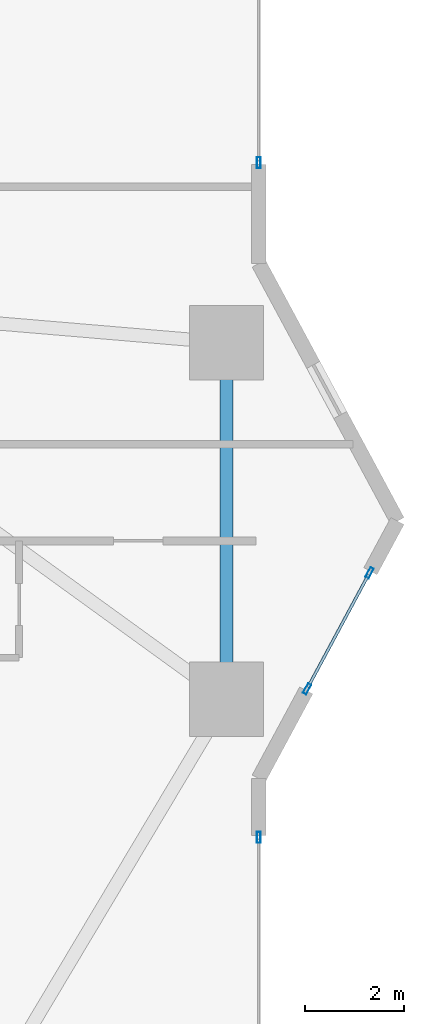
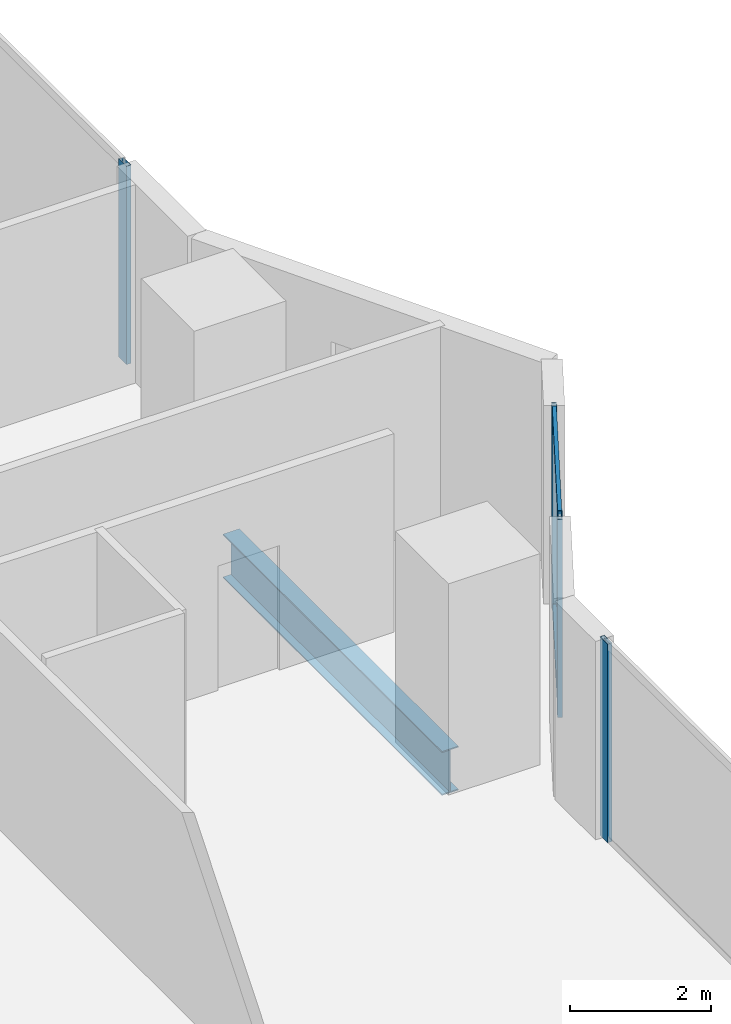
# One storey, part 12 of 28: 6 members, 1 beam, 3 elements without a shape of their own.
"""IFC4 building model written with IfcOpenShell, lengths in metres."""

from ifc_helpers import new_model, si_unit, direction, frame, origin, origin_2d, place, context, subcontext, project, spatial, hollow_rectangle, i_section, extrude, material, layer, layer_set, material_profile, profile_set, type_object, element, aggregate, save


model = new_model("IFC4")

# Units and contexts
model_context = context("Model", 3, precision=1e-05, world=origin(), true_north=direction((0.0, 1.0)))
body_context = subcontext(model_context, "Body", "Model", "MODEL_VIEW")
ifc_project = project(units=[si_unit("LENGTHUNIT", "METRE"), si_unit("AREAUNIT", "SQUARE_METRE"), si_unit("VOLUMEUNIT", "CUBIC_METRE"), si_unit("PLANEANGLEUNIT", "RADIAN"), si_unit("MASSUNIT", "GRAM", prefix="KILO")], contexts=[model_context])

# Site, building, storey
site_placement = place(None, origin())
site = spatial("IfcSite", under=ifc_project, at=site_placement, CompositionType="ELEMENT")
building_placement = place(site_placement, origin())
building = spatial("IfcBuilding", under=site, at=building_placement, Name="Zuhayl Quay Hotel", CompositionType="ELEMENT")
storey_placement = place(building_placement, frame((0.0, 0.0, 75.050048828125)))
storey = spatial("IfcBuildingStorey", under=building, at=storey_placement, Name="L18", CompositionType="ELEMENT", Elevation=75.050048828125)

# Beam
ifc_material_1 = material(Name="Steel ASTM A992 Grade 50", Category="steel")
ifc_material_profile_1 = material_profile(ifc_material_1, i_section(OverallWidth=0.26708984375, OverallDepth=0.761962890625, WebThickness=0.014404296875, FlangeThickness=0.021484375, at=origin_2d()), Name="W30X116")
ifc_profile_set_1 = profile_set([ifc_material_profile_1], Name="Steel ASTM A992 Grade 50")
beam_type = type_object("IfcBeamType", Name="BM_B1_W30X116", PredefinedType="BEAM", material=ifc_profile_set_1)
beam_placement = place(storey_placement, frame((25.050048828125, -3.10009765625, -0.60107421875), z_axis=(0.0, 1.0, 0.0), x_axis=(-1.0, 0.0, 0.0)))
element("IfcBeam", 1, at=beam_placement, inside=storey, type_object=beam_type, Name="L18 Floor Beam RG_L18_05", PredefinedType="BEAM", context=body_context, shape_type="SweptSolid", body=[
    extrude(i_section(OverallWidth=0.26708984375, OverallDepth=0.761962890625, WebThickness=0.014404296875, FlangeThickness=0.021484375, at=origin_2d()), origin(), (0.0, 0.0, 1.0), 6.2001953125),
])

# Curtain wall, member
ifc_material_2 = material(Name="Anodised Aluminium 6063-T6", Category="aluminium")
ifc_layer = layer(ifc_material_2, 0.18994140625, Name="Anodised Aluminium 6063-T6", Category="aluminium")
ifc_layer_set = layer_set([ifc_layer], Name="Anodised Aluminium 6063-T6")
curtain_wall_type = type_object("IfcCurtainWallType", Name="CW_SYS_Z1", PredefinedType="USERDEFINED", material=ifc_layer_set)
curtain_wall_1_placement = place(storey_placement, origin())
curtain_wall_1 = element("IfcCurtainWall", 2, at=curtain_wall_1_placement, inside=storey, type_object=curtain_wall_type, Name="L18 Curtain Wall ENV_L18_E11_CW1", ObjectType="UNITISED CURTAIN WALL", PredefinedType="USERDEFINED")
ifc_material_3 = material(Name="Black-anodised aluminium 6063-T6", Category="aluminium")
ifc_material_profile_2 = material_profile(ifc_material_3, hollow_rectangle(XDim=0.074951171875, YDim=0.219970703125, WallThickness=0.00390625, at=origin_2d()), Name="ALU220X75")
ifc_profile_set_2 = profile_set([ifc_material_profile_2], Name="Black-anodised aluminium 6063-T6")
member_type_1 = type_object("IfcMemberType", Name="MB_CW_MUL_220", PredefinedType="MULLION", material=ifc_profile_set_2)
member_1_placement = place(storey_placement, frame((25.699951171875, 7.237548828125, 0.0), z_axis=(0.0, 0.0, 1.0), x_axis=(1.0, 0.0, 0.0)))
member_1 = element("IfcMember", 3, at=member_1_placement, type_object=member_type_1, Name="CW-Z1 mullion 2", PredefinedType="MULLION", context=body_context, shape_type="SweptSolid", body=[
    extrude(hollow_rectangle(XDim=0.074951171875, YDim=0.219970703125, WallThickness=0.00390625, at=origin_2d()), origin(), (0.0, 0.0, 1.0), 3.429931640625),
])
aggregate(curtain_wall_1, [member_1])

# Curtain wall, members
curtain_wall_2_placement = place(storey_placement, origin())
curtain_wall_2 = element("IfcCurtainWall", 4, at=curtain_wall_2_placement, inside=storey, type_object=curtain_wall_type, Name="L18 Curtain Wall ENV_L18_E13_CW1", ObjectType="UNITISED CURTAIN WALL", PredefinedType="USERDEFINED")
member_2_placement = place(storey_placement, frame((27.93701171875, -1.04541015625, 0.0), z_axis=(0.0, 0.0, 1.0), x_axis=(0.880475795468, -0.474091102632, 0.0)))
member_2 = element("IfcMember", 5, at=member_2_placement, type_object=member_type_1, Name="CW-Z1 mullion 1", PredefinedType="MULLION", context=body_context, shape_type="SweptSolid", body=[
    extrude(hollow_rectangle(XDim=0.074951171875, YDim=0.219970703125, WallThickness=0.00390625, at=origin_2d()), origin(), (0.0, 0.0, 1.0), 3.429931640625),
])
member_3_placement = place(storey_placement, frame((26.67578125, -3.387939453125, 0.0), z_axis=(0.0, 0.0, 1.0), x_axis=(0.880475795468, -0.474091102632, 0.0)))
member_3 = element("IfcMember", 6, at=member_3_placement, type_object=member_type_1, Name="CW-Z1 mullion 2", PredefinedType="MULLION", context=body_context, shape_type="SweptSolid", body=[
    extrude(hollow_rectangle(XDim=0.074951171875, YDim=0.219970703125, WallThickness=0.00390625, at=origin_2d()), origin(), (0.0, 0.0, 1.0), 3.429931640625),
])

# Curtain wall, member
curtain_wall_3_placement = place(storey_placement, origin())
curtain_wall_3 = element("IfcCurtainWall", 7, at=curtain_wall_3_placement, inside=storey, type_object=curtain_wall_type, Name="L18 Curtain Wall ENV_L18_E14_CW1", ObjectType="UNITISED CURTAIN WALL", PredefinedType="USERDEFINED")
member_4_placement = place(storey_placement, frame((25.699951171875, -6.387451171875, 0.0), z_axis=(0.0, 0.0, 1.0), x_axis=(1.0, 0.0, 0.0)))
member_4 = element("IfcMember", 8, at=member_4_placement, type_object=member_type_1, Name="CW-Z1 mullion 1", PredefinedType="MULLION", context=body_context, shape_type="SweptSolid", body=[
    extrude(hollow_rectangle(XDim=0.074951171875, YDim=0.219970703125, WallThickness=0.00390625, at=origin_2d()), origin(), (0.0, 0.0, 1.0), 3.429931640625),
])
aggregate(curtain_wall_3, [member_4])

# Member
ifc_material_profile_3 = material_profile(ifc_material_3, hollow_rectangle(XDim=0.06005859375, YDim=0.14990234375, WallThickness=0.00341796875, at=origin_2d()), Name="ALU150X60")
ifc_profile_set_3 = profile_set([ifc_material_profile_3], Name="Black-anodised aluminium 6063-T6")
member_type_2 = type_object("IfcMemberType", Name="MB_CW_TRN_150", PredefinedType="USERDEFINED", material=ifc_profile_set_3)
member_5_placement = place(storey_placement, frame((27.919189453125, -1.07861328125, 0.030029296875), z_axis=(-0.474054771703, -0.880495356845, 0.0), x_axis=(0.880495356845, -0.474054771703, 0.0)))
member_5 = element("IfcMember", 9, at=member_5_placement, type_object=member_type_2, Name="CW-Z1 transom 1.1", ObjectType="TRANSOM", PredefinedType="USERDEFINED", context=body_context, shape_type="SweptSolid", body=[
    extrude(hollow_rectangle(XDim=0.06005859375, YDim=0.14990234375, WallThickness=0.00341796875, at=origin_2d()), origin(), (0.0, 0.0, 1.0), 2.585205078125),
])

member_6_placement = place(storey_placement, frame((27.919189453125, -1.07861328125, 3.39990234375), z_axis=(-0.474054771703, -0.880495356845, 0.0), x_axis=(0.880495356845, -0.474054771703, 0.0)))
member_6 = element("IfcMember", 10, at=member_6_placement, type_object=member_type_2, Name="CW-Z1 transom 1.2", ObjectType="TRANSOM", PredefinedType="USERDEFINED", context=body_context, shape_type="SweptSolid", body=[
    extrude(hollow_rectangle(XDim=0.06005859375, YDim=0.14990234375, WallThickness=0.00341796875, at=origin_2d()), origin(), (0.0, 0.0, 1.0), 2.585205078125),
])

aggregate(curtain_wall_2, [member_2, member_3, member_5, member_6])

save(model, "model.ifc")
